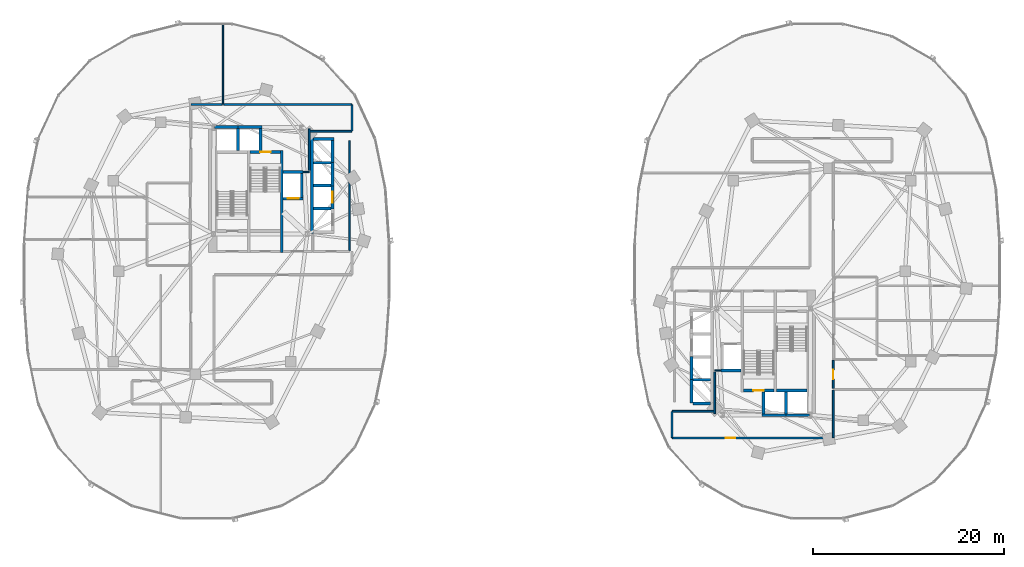
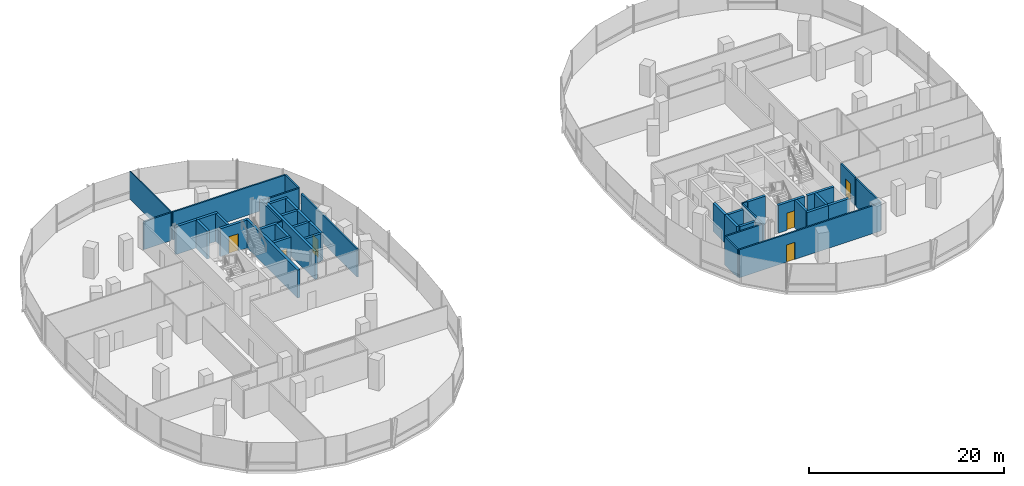
# One storey, part 12 of 21: 43 walls, 6 doors, 6 openings.
"""IFC4 building model written with IfcOpenShell, lengths in metres."""

import ifcopenshell
import ifcopenshell.guid

model = None  # the IFC model being written
_history = None  # IfcOwnerHistory: only IFC2X3 demands one
_inside = {}  # id of a spatial element -> (the spatial element, [elements in it])
_under = {}  # id of a project, library or spatial element -> (it, [spatial elements below it])
_declared = {}  # id of a project -> (the project, [libraries it declares])
_typed = {}  # id of a type object -> (the type object, [elements of that type])
_made_of = {}  # id of a material, layer set ... -> (it, [elements and type objects made of it])


def new_model(schema):
    """Start an empty IFC model of exactly this schema.

    Asked for "IFC4X3", IfcOpenShell would pick the latest addendum, in which some entities
    have other attributes; the version numbers below select the first issue.
    IFC2X3 requires an IfcOwnerHistory on every rooted entity: one is made here for all.
    """
    global model, _history
    if schema == "IFC4X3":
        model = ifcopenshell.file(schema_version=(4, 3, 0, 0))
    else:
        model = ifcopenshell.file(schema=schema)
    _inside.clear()
    _under.clear()
    _declared.clear()
    _typed.clear()
    _made_of.clear()
    _history = None
    if model.schema == "IFC2X3":
        org = make("IfcOrganization", Name="unknown")
        user = make(
            "IfcPersonAndOrganization",
            ThePerson=make("IfcPerson", FamilyName="unknown"),
            TheOrganization=org,
        )
        app = make(
            "IfcApplication",
            ApplicationDeveloper=org,
            Version="unknown",
            ApplicationFullName="unknown",
            ApplicationIdentifier="unknown",
        )
        _history = make(
            "IfcOwnerHistory",
            OwningUser=user,
            OwningApplication=app,
            ChangeAction="ADDED",
            CreationDate=0,
        )
    return model


def make(cls, **values):
    """One entity of the class cls with the attributes given. An attribute that is None is left unset."""
    return model.create_entity(
        cls, **{name: value for name, value in values.items() if value is not None}
    )


def rooted(cls, **values):
    """An entity with a GlobalId (a new one), such as an element, a storey or a relation."""
    return make(cls, GlobalId=ifcopenshell.guid.new(), OwnerHistory=_history, **values)


def si_unit(unit_type, name, prefix=None):
    """IfcSIUnit, for example si_unit("LENGTHUNIT", "METRE", prefix="MILLI")."""
    return make("IfcSIUnit", UnitType=unit_type, Prefix=prefix, Name=name)


def assignment(units):
    """IfcUnitAssignment: the units of a project."""
    return None if units is None else make("IfcUnitAssignment", Units=units)


def point(xyz):
    """IfcCartesianPoint."""
    return None if xyz is None else make("IfcCartesianPoint", Coordinates=xyz)


def direction(xyz):
    """IfcDirection."""
    return None if xyz is None else make("IfcDirection", DirectionRatios=xyz)


def frame(location, z_axis=None, x_axis=None):
    """IfcAxis2Placement3D, a coordinate frame: its origin and axes. An axis left out is left unset."""
    return make(
        "IfcAxis2Placement3D",
        Location=point(location),
        Axis=direction(z_axis),
        RefDirection=direction(x_axis),
    )


def frame_2d(location, x_axis=None):
    """IfcAxis2Placement2D, a coordinate frame in the plane: its origin and x axis."""
    return make(
        "IfcAxis2Placement2D", Location=point(location), RefDirection=direction(x_axis)
    )


def origin():
    """The frame at (0, 0, 0) with its axes left unset."""
    return frame((0.0, 0.0, 0.0))


def place(relative_to, where):
    """IfcLocalPlacement: puts the frame where relative to a parent placement (None: the world)."""
    return make(
        "IfcLocalPlacement", PlacementRelTo=relative_to, RelativePlacement=where
    )


def context(
    kind, dimensions, precision=None, world=None, true_north=None, identifier=None
):
    """IfcGeometricRepresentationContext, for example the 3D "Model" context."""
    return make(
        "IfcGeometricRepresentationContext",
        ContextIdentifier=identifier,
        ContextType=kind,
        CoordinateSpaceDimension=dimensions,
        Precision=precision,
        WorldCoordinateSystem=world,
        TrueNorth=true_north,
    )


def subcontext(parent, identifier, kind, view, scale=None):
    """IfcGeometricRepresentationSubContext, for example "Body" below "Model"."""
    return make(
        "IfcGeometricRepresentationSubContext",
        ContextIdentifier=identifier,
        ContextType=kind,
        ParentContext=parent,
        TargetScale=scale,
        TargetView=view,
    )


def project(units=None, contexts=None):
    """IfcProject with its units and contexts."""
    return rooted(
        "IfcProject",
        Name="project",
        RepresentationContexts=contexts,
        UnitsInContext=assignment(units),
    )


def spatial(cls, under=None, at=None, **own):
    """A site, building, storey or space (cls), placed at a placement, below another one or the project."""
    s = rooted(cls, ObjectPlacement=at, **own)
    if under is not None:
        _under.setdefault(under.id(), (under, []))[1].append(s)
    return s


def profile(cls, at=None, kind="AREA", **sizes):
    """A parametric profile (cls). Its sizes go by their IFC names, for example OverallWidth=200.0."""
    return make(cls, ProfileType=kind, Position=at, **sizes)


def rectangle(**sizes):
    """IfcRectangleProfileDef."""
    return profile("IfcRectangleProfileDef", **sizes)


def extrude(swept, where, along, depth):
    """IfcExtrudedAreaSolid: the profile swept, set in the frame where, extruded along a direction by depth."""
    return make(
        "IfcExtrudedAreaSolid",
        SweptArea=swept,
        Position=where,
        ExtrudedDirection=direction(along),
        Depth=depth,
    )


def shape(context_of_items, identifier, shape_type, items):
    """IfcShapeRepresentation: the items that make up one representation, for example the "Body"."""
    return make(
        "IfcShapeRepresentation",
        ContextOfItems=context_of_items,
        RepresentationIdentifier=identifier,
        RepresentationType=shape_type,
        Items=items,
    )


def material(Name=None, Category=None):
    """IfcMaterial."""
    return make("IfcMaterial", Name=Name, Category=Category)


def layer(
    of_material, thickness, ventilated=None, Name=None, Category=None, Priority=None
):
    """IfcMaterialLayer: one layer of a wall or slab, of a material (None: an air gap)."""
    return make(
        "IfcMaterialLayer",
        Material=of_material,
        LayerThickness=thickness,
        IsVentilated=ventilated,
        Name=Name,
        Category=Category,
        Priority=Priority,
    )


def layer_set(layers, Name=None):
    """IfcMaterialLayerSet."""
    return make("IfcMaterialLayerSet", MaterialLayers=layers, LayerSetName=Name)


def made_of(thing, what):
    """Note that an element or type object is made of a material, layer set ...; save() writes the relation."""
    if what is not None:
        _made_of.setdefault(what.id(), (what, []))[1].append(thing)
    return thing


def type_object(cls, material=None, **own):
    """A type object (cls), such as IfcWallType, which elements share."""
    return made_of(rooted(cls, **own), material)


def element(
    cls,
    number,
    at=None,
    inside=None,
    cuts=None,
    type_object=None,
    material=None,
    context=None,
    identifier="Body",
    shape_type=None,
    held_by="IfcProductDefinitionShape",
    body=None,
    shapes=None,
    **own,
):
    """One element of the class cls, such as IfcWall. Its Tag is "e" and its number.

    at: its placement. inside: the storey or other place that contains it. cuts: it is an
    opening in that element (IfcRelVoidsElement). A single representation is given by context,
    identifier, shape_type and body (its items); several are given by shapes. held_by: the class
    of the entity that holds the representations. save() writes the other relations.
    """
    e = rooted(cls, Tag="e%d" % number, ObjectPlacement=at, **own)
    if body is not None:
        shapes = [shape(context, identifier, shape_type, body)]
    if shapes is not None:
        e.Representation = make(held_by, Representations=shapes)
    if inside is not None:
        _inside.setdefault(inside.id(), (inside, []))[1].append(e)
    if cuts is not None:
        rooted(
            "IfcRelVoidsElement", RelatingBuildingElement=cuts, RelatedOpeningElement=e
        )
    if type_object is not None:
        _typed.setdefault(type_object.id(), (type_object, []))[1].append(e)
    return made_of(e, material)


def fill(opening, filler):
    """IfcRelFillsElement: the door or window that sits in an opening."""
    return rooted(
        "IfcRelFillsElement",
        RelatingOpeningElement=opening,
        RelatedBuildingElement=filler,
    )


def aggregate(whole, parts):
    """IfcRelAggregates: a whole, such as a stair, and the parts it consists of."""
    return rooted("IfcRelAggregates", RelatingObject=whole, RelatedObjects=parts)


def save(model, path):
    """Write the relations noted so far, then the file.

    IfcRelAggregates (storeys below a building ...), IfcRelContainedInSpatialStructure (elements
    in a storey), IfcRelDefinesByType, IfcRelAssociatesMaterial and IfcRelDeclares: one each for
    every whole, place, type object, material and project.
    """
    for whole, parts in _under.values():
        aggregate(whole, parts)
    for where, things in _inside.values():
        rooted(
            "IfcRelContainedInSpatialStructure",
            RelatedElements=things,
            RelatingStructure=where,
        )
    for kind, things in _typed.values():
        rooted("IfcRelDefinesByType", RelatedObjects=things, RelatingType=kind)
    for what, things in _made_of.values():
        rooted("IfcRelAssociatesMaterial", RelatedObjects=things, RelatingMaterial=what)
    for by, libraries in _declared.values():
        rooted("IfcRelDeclares", RelatingContext=by, RelatedDefinitions=libraries)
    model.write(path)


model = new_model("IFC4")

# Units and contexts
model_context = context("Model", 3, precision=1e-05, world=origin(), true_north=direction((0.0, 1.0)))
body_context = subcontext(model_context, "Body", "Model", "MODEL_VIEW")
ifc_project = project(units=[si_unit("LENGTHUNIT", "METRE"), si_unit("AREAUNIT", "SQUARE_METRE"), si_unit("VOLUMEUNIT", "CUBIC_METRE"), si_unit("PLANEANGLEUNIT", "RADIAN"), si_unit("MASSUNIT", "GRAM", prefix="KILO"), si_unit("THERMODYNAMICTEMPERATUREUNIT", "KELVIN"), si_unit("POWERUNIT", "WATT")], contexts=[model_context])

# Site, building, storey
site_placement = place(None, origin())
site = spatial("IfcSite", under=ifc_project, at=site_placement, CompositionType="ELEMENT")
building_placement = place(site_placement, origin())
building = spatial("IfcBuilding", under=site, at=building_placement, Name="Cundina Bronze Exchange", CompositionType="ELEMENT")
storey_placement = place(building_placement, frame((0.0, 0.0, 50.60009765625)))
storey = spatial("IfcBuildingStorey", under=building, at=storey_placement, Name="L12", CompositionType="ELEMENT", Elevation=50.60009765625)

# Walls
ifc_material_1 = material(Name="Gypsum Fireboard Partition EI120")
ifc_layer_1 = layer(ifc_material_1, 0.179931640625, Name="Gypsum Fireboard Partition EI120")
ifc_layer_set_1 = layer_set([ifc_layer_1], Name="Gypsum Fireboard Partition EI120")
wall_type_1 = type_object("IfcWallType", Name="WL-COR-180", PredefinedType="PARTITIONING", material=ifc_layer_set_1)
wall_1_placement = place(storey_placement, frame((-17.02001953125, 2.169921875, 0.0), z_axis=(0.0, 0.0, 1.0), x_axis=(0.0, 1.0, 0.0)))
element("IfcWall", 1, at=wall_1_placement, inside=storey, type_object=wall_type_1, Name="L12 Interior Partition 001", PredefinedType="PARTITIONING", context=body_context, shape_type="SweptSolid", body=[
    extrude(rectangle(XDim=11.510009765625, YDim=0.179931640625, at=frame_2d((5.7548828125, 0.0))), origin(), (0.0, 0.0, 1.0), 3.5),
])
wall_2_placement = place(storey_placement, frame((-21.25, 10.570068359375, 0.0), z_axis=(0.0, 0.0, 1.0), x_axis=(0.0, 1.0, 0.0)))
element("IfcWall", 2, at=wall_2_placement, inside=storey, type_object=wall_type_1, Name="L12 Interior Partition 004", PredefinedType="PARTITIONING", context=body_context, shape_type="SweptSolid", body=[
    extrude(rectangle(XDim=4.35986328125, YDim=0.179931640625, at=frame_2d((2.179931640625, 0.0))), origin(), (0.0, 0.0, 1.0), 3.5),
])
wall_3_placement = place(storey_placement, frame((-16.821533203125, 17.469970703125, 0.0), z_axis=(0.0, 0.0, 1.0), x_axis=(-1.0, 0.0, 0.0)))
element("IfcWall", 3, at=wall_3_placement, inside=storey, type_object=wall_type_1, Name="L12 Interior Partition 032", PredefinedType="PARTITIONING", context=body_context, shape_type="SweptSolid", body=[
    extrude(rectangle(XDim=13.368408203125, YDim=0.179931640625, at=frame_2d((6.68408203125, 0.0))), origin(), (0.0, 0.0, 1.0), 3.5),
])
wall_4_placement = place(storey_placement, frame((-21.178466796875, 14.679931640625, 0.0), z_axis=(0.0, 0.0, 1.0), x_axis=(1.0, 0.0, 0.0)))
element("IfcWall", 4, at=wall_4_placement, inside=storey, type_object=wall_type_1, Name="L12 Interior Partition 034", PredefinedType="PARTITIONING", context=body_context, shape_type="SweptSolid", body=[
    extrude(rectangle(XDim=4.35693359375, YDim=0.179931640625, at=frame_2d((2.178466796875, 0.0))), origin(), (0.0, 0.0, 1.0), 3.5),
])
wall_5_placement = place(storey_placement, frame((-16.780029296875, 14.721435546875, 0.0), z_axis=(0.0, 0.0, 1.0), x_axis=(0.0, 1.0, 0.0)))
element("IfcWall", 5, at=wall_5_placement, inside=storey, type_object=wall_type_1, Name="L12 Interior Partition 035", PredefinedType="PARTITIONING", context=body_context, shape_type="SweptSolid", body=[
    extrude(rectangle(XDim=2.70703125, YDim=0.179931640625, at=frame_2d((1.353515625, 0.0))), origin(), (0.0, 0.0, 1.0), 3.5),
])
wall_6_placement = place(storey_placement, frame((-30.3701171875, 17.469970703125, 0.0), z_axis=(0.0, 0.0, 1.0), x_axis=(-1.0, 0.0, 0.0)))
element("IfcWall", 6, at=wall_6_placement, inside=storey, type_object=wall_type_1, Name="L12 Interior Partition 038", PredefinedType="PARTITIONING", context=body_context, shape_type="SweptSolid", body=[
    extrude(rectangle(XDim=3.25830078125, YDim=0.179931640625, at=frame_2d((1.629150390625, 0.0))), origin(), (0.0, 0.0, 1.0), 3.5),
])
wall_7_placement = place(storey_placement, frame((21.25, -14.929931640625, 0.0), z_axis=(0.0, 0.0, 1.0), x_axis=(0.0, 1.0, 0.0)))
element("IfcWall", 7, at=wall_7_placement, inside=storey, type_object=wall_type_1, Name="L12 Interior Partition 043", PredefinedType="PARTITIONING", context=body_context, shape_type="SweptSolid", body=[
    extrude(rectangle(XDim=4.35986328125, YDim=0.179931640625, at=frame_2d((2.179931640625, 0.0))), origin(), (0.0, 0.0, 1.0), 3.5),
])

# Wall, opening, door
wall_8_placement = place(storey_placement, frame((33.669921875, -12.2900390625, 0.0), z_axis=(0.0, 0.0, 1.0), x_axis=(0.0, 1.0, 0.0)))
wall_8 = element("IfcWall", 8, at=wall_8_placement, inside=storey, type_object=wall_type_1, Name="L12 Interior Partition 057", PredefinedType="PARTITIONING", context=body_context, shape_type="SweptSolid", body=[
    extrude(rectangle(XDim=2.938720703125, YDim=0.179931640625, at=frame_2d((1.46923828125, 0.0))), origin(), (0.0, 0.0, 1.0), 3.5),
])
opening_1_placement = place(wall_8_placement, frame((0.96923828125, 0.0, 0.0)))
opening_1 = element("IfcOpeningElement", 9, at=opening_1_placement, cuts=wall_8, Name="Opening DO-01", PredefinedType="OPENING", context=body_context, shape_type="SweptSolid", body=[
    extrude(rectangle(XDim=1.0, YDim=2.14990234375, at=frame_2d((0.5, 1.074951171875))), frame((0.0, 0.099853515625, 0.0), z_axis=(0.0, -1.0, 0.0), x_axis=(1.0, 0.0, 0.0)), (0.0, 0.0, 1.0), 0.199951171875),
])
ifc_material_2 = material(Name="Solid Andean Oak Timber Grade A", Category="wood")
door_type_1 = type_object("IfcDoorType", Name="DR-OFF-1000", OperationType="NOTDEFINED", PredefinedType="DOOR", material=ifc_material_2)
door_1_placement = place(opening_1_placement, origin())
door_1 = element("IfcDoor", 10, at=door_1_placement, inside=storey, type_object=door_type_1, Name="L12 Interior Door 057", OperationType="SINGLE_SWING_RIGHT", OverallHeight=2.14990234375, OverallWidth=1.0, PredefinedType="DOOR", context=body_context, shape_type="SweptSolid", body=[
    extrude(rectangle(XDim=1.0, YDim=2.14990234375, at=frame_2d((0.5, 1.074951171875))), frame((0.0, 0.02490234375, 0.0), z_axis=(0.0, -1.0, 0.0), x_axis=(1.0, 0.0, 0.0)), (0.0, 0.0, 1.0), 0.050048828125),
])
fill(opening_1, door_1)

wall_9_placement = place(storey_placement, frame((16.821533203125, -17.469970703125, 0.0), z_axis=(0.0, 0.0, 1.0), x_axis=(1.0, 0.0, 0.0)))
wall_9 = element("IfcWall", 11, at=wall_9_placement, inside=storey, type_object=wall_type_1, Name="L12 Interior Partition 058", PredefinedType="PARTITIONING", context=body_context, shape_type="SweptSolid", body=[
    extrude(rectangle(XDim=16.806884765625, YDim=0.179931640625, at=frame_2d((8.4033203125, 0.0))), origin(), (0.0, 0.0, 1.0), 3.5),
])
opening_2_placement = place(wall_9_placement, frame((5.568603515625, 0.0, 0.0)))
opening_2 = element("IfcOpeningElement", 12, at=opening_2_placement, cuts=wall_9, Name="Opening DO-01", PredefinedType="OPENING", context=body_context, shape_type="SweptSolid", body=[
    extrude(rectangle(XDim=1.0, YDim=2.14990234375, at=frame_2d((0.5, 1.074951171875))), frame((0.0, 0.099853515625, 0.0), z_axis=(0.0, -1.0, 0.0), x_axis=(1.0, 0.0, 0.0)), (0.0, 0.0, 1.0), 0.199951171875),
])
door_2_placement = place(opening_2_placement, origin())
door_2 = element("IfcDoor", 13, at=door_2_placement, inside=storey, type_object=door_type_1, Name="L12 Interior Door 058", OperationType="SINGLE_SWING_RIGHT", OverallHeight=2.14990234375, OverallWidth=1.0, PredefinedType="DOOR", context=body_context, shape_type="SweptSolid", body=[
    extrude(rectangle(XDim=1.0, YDim=2.14990234375, at=frame_2d((0.5, 1.074951171875))), frame((0.0, 0.02490234375, 0.0), z_axis=(0.0, -1.0, 0.0), x_axis=(1.0, 0.0, 0.0)), (0.0, 0.0, 1.0), 0.050048828125),
])
fill(opening_2, door_2)

# Walls
wall_10_placement = place(storey_placement, frame((33.669921875, -17.428466796875, 0.0), z_axis=(0.0, 0.0, 1.0), x_axis=(0.0, 1.0, 0.0)))
element("IfcWall", 14, at=wall_10_placement, inside=storey, type_object=wall_type_1, Name="L12 Interior Partition 061", PredefinedType="PARTITIONING", context=body_context, shape_type="SweptSolid", body=[
    extrude(rectangle(XDim=4.95849609375, YDim=0.179931640625, at=frame_2d((2.479248046875, 0.0))), origin(), (0.0, 0.0, 1.0), 3.5),
])
wall_11_placement = place(storey_placement, frame((21.178466796875, -14.679931640625, 0.0), z_axis=(0.0, 0.0, 1.0), x_axis=(-1.0, 0.0, 0.0)))
element("IfcWall", 15, at=wall_11_placement, inside=storey, type_object=wall_type_1, Name="L12 Interior Partition 062", PredefinedType="PARTITIONING", context=body_context, shape_type="SweptSolid", body=[
    extrude(rectangle(XDim=4.35693359375, YDim=0.179931640625, at=frame_2d((2.178466796875, 0.0))), origin(), (0.0, 0.0, 1.0), 3.5),
])
wall_12_placement = place(storey_placement, frame((16.780029296875, -14.721435546875, 0.0), z_axis=(0.0, 0.0, 1.0), x_axis=(0.0, -1.0, 0.0)))
element("IfcWall", 16, at=wall_12_placement, inside=storey, type_object=wall_type_1, Name="L12 Interior Partition 063", PredefinedType="PARTITIONING", context=body_context, shape_type="SweptSolid", body=[
    extrude(rectangle(XDim=2.70703125, YDim=0.179931640625, at=frame_2d((1.353515625, 0.0))), origin(), (0.0, 0.0, 1.0), 3.5),
])
ifc_material_3 = material(Name="Gypsum Acoustic Partition EI60")
ifc_layer_2 = layer(ifc_material_3, 0.125, Name="Gypsum Acoustic Partition EI60")
ifc_layer_set_2 = layer_set([ifc_layer_2], Name="Gypsum Acoustic Partition EI60")
wall_type_2 = type_object("IfcWallType", Name="WL-OFF-125", PredefinedType="PARTITIONING", material=ifc_layer_set_2)
wall_13_placement = place(storey_placement, frame((-30.280029296875, 17.5, 0.0), z_axis=(0.0, 0.0, 1.0), x_axis=(0.0, 1.0, 0.0)))
element("IfcWall", 17, at=wall_13_placement, inside=storey, type_object=wall_type_2, Name="L12 Interior Partition 022", PredefinedType="PARTITIONING", context=body_context, shape_type="SweptSolid", body=[
    extrude(rectangle(XDim=8.485107421875, YDim=0.125, at=frame_2d((4.24267578125, 0.0))), origin(), (0.0, 0.0, 1.0), 3.5),
])
ifc_material_4 = material(Name="Concrete C50/60", Category="concrete")
ifc_layer_3 = layer(ifc_material_4, 0.300048828125, Name="Concrete C50/60", Category="concrete")
ifc_layer_set_3 = layer_set([ifc_layer_3], Name="Concrete C50/60")
wall_type_3 = type_object("IfcWallType", Name="WL-SHFT-300", PredefinedType="SHEAR", material=ifc_layer_set_3)
wall_14_placement = place(storey_placement, frame((-24.1298828125, 1.969970703125, 0.0), z_axis=(0.0, 0.0, 1.0), x_axis=(0.0, 1.0, 0.0)))
element("IfcWall", 18, at=wall_14_placement, inside=storey, type_object=wall_type_3, Name="L12 W Stair 2 East Shear Wall", PredefinedType="SHEAR", context=body_context, shape_type="SweptSolid", body=[
    extrude(rectangle(XDim=10.679931640625, YDim=0.300048828125, at=frame_2d((5.33984375, 0.0))), origin(), (0.0, 0.0, 1.0), 3.5),
])

# Wall, opening, door
wall_15_placement = place(storey_placement, frame((-27.43994140625, 12.5, 0.0), z_axis=(0.0, 0.0, 1.0), x_axis=(1.0, 0.0, 0.0)))
wall_15 = element("IfcWall", 19, at=wall_15_placement, inside=storey, type_object=wall_type_3, Name="L12 Stair W2 Landing Wall", PredefinedType="SHEAR", context=body_context, shape_type="SweptSolid", body=[
    extrude(rectangle(XDim=3.159912109375, YDim=0.300048828125, at=frame_2d((1.580078125, 0.0))), origin(), (0.0, 0.0, 1.0), 3.5),
])
opening_3_placement = place(wall_15_placement, frame((1.030029296875, 0.0, 0.0)))
opening_3 = element("IfcOpeningElement", 20, at=opening_3_placement, cuts=wall_15, Name="Opening DS-01", PredefinedType="OPENING", context=body_context, shape_type="SweptSolid", body=[
    extrude(rectangle(XDim=1.10009765625, YDim=2.14990234375, at=frame_2d((0.550048828125, 1.074951171875))), frame((0.0, 0.159912109375, 0.0), z_axis=(0.0, -1.0, 0.0), x_axis=(1.0, 0.0, 0.0)), (0.0, 0.0, 1.0), 0.320068359375),
])
ifc_material_5 = material(Name="Steel ASTM A36 Painted", Category="steel")
door_type_2 = type_object("IfcDoorType", Name="DR-STR-1100", OperationType="NOTDEFINED", PredefinedType="DOOR", material=ifc_material_5)
door_3_placement = place(opening_3_placement, origin())
door_3 = element("IfcDoor", 21, at=door_3_placement, inside=storey, type_object=door_type_2, Name="L12 Smokeproof Stair W2 Door", OperationType="SINGLE_SWING_LEFT", OverallHeight=2.14990234375, OverallWidth=1.10009765625, PredefinedType="DOOR", context=body_context, shape_type="SweptSolid", body=[
    extrude(rectangle(XDim=1.10009765625, YDim=2.14990234375, at=frame_2d((0.550048828125, 1.074951171875))), frame((0.0, 0.02490234375, 0.0), z_axis=(0.0, -1.0, 0.0), x_axis=(1.0, 0.0, 0.0)), (0.0, 0.0, 1.0), 0.050048828125),
])
fill(opening_3, door_3)

wall_16_placement = place(storey_placement, frame((-23.97998046875, 7.60009765625, 0.0), z_axis=(0.0, 0.0, 1.0), x_axis=(1.0, 0.0, 0.0)))
wall_16 = element("IfcWall", 22, at=wall_16_placement, inside=storey, type_object=wall_type_3, Name="L12 FFL-W Hoistway Front Wall", PredefinedType="SHEAR", context=body_context, shape_type="SweptSolid", body=[
    extrude(rectangle(XDim=2.10009765625, YDim=0.300048828125, at=frame_2d((1.050048828125, 0.0))), origin(), (0.0, 0.0, 1.0), 3.5),
])
opening_4_placement = place(wall_16_placement, frame((0.47509765625, 0.0, 0.0)))
opening_4 = element("IfcOpeningElement", 23, at=opening_4_placement, cuts=wall_16, Name="Opening LD-01", PredefinedType="OPENING", context=body_context, shape_type="SweptSolid", body=[
    extrude(rectangle(XDim=1.14990234375, YDim=2.199951171875, at=frame_2d((0.574951171875, 1.10009765625))), frame((0.0, 0.159912109375, 0.0), z_axis=(0.0, -1.0, 0.0), x_axis=(1.0, 0.0, 0.0)), (0.0, 0.0, 1.0), 0.320068359375),
])
door_type_3 = type_object("IfcDoorType", Name="DR-LND-1150", OperationType="NOTDEFINED", PredefinedType="TRAPDOOR", material=ifc_material_5)
door_4_placement = place(opening_4_placement, origin())
door_4 = element("IfcDoor", 24, at=door_4_placement, inside=storey, type_object=door_type_3, Name="L12 FFL-W Sliding Landing Door", OperationType="SLIDING_TO_LEFT", OverallHeight=2.199951171875, OverallWidth=1.14990234375, PredefinedType="TRAPDOOR", context=body_context, shape_type="SweptSolid", body=[
    extrude(rectangle(XDim=1.14990234375, YDim=2.199951171875, at=frame_2d((0.574951171875, 1.10009765625))), frame((0.0, 0.02490234375, 0.0), z_axis=(0.0, -1.0, 0.0), x_axis=(1.0, 0.0, 0.0)), (0.0, 0.0, 1.0), 0.050048828125),
])
fill(opening_4, door_4)

# Walls
wall_17_placement = place(storey_placement, frame((-23.97998046875, 10.39990234375, 0.0), z_axis=(0.0, 0.0, 1.0), x_axis=(1.0, 0.0, 0.0)))
element("IfcWall", 25, at=wall_17_placement, inside=storey, type_object=wall_type_3, Name="L12 FFL-W Hoistway Back Wall", PredefinedType="SHEAR", context=body_context, shape_type="SweptSolid", body=[
    extrude(rectangle(XDim=2.10009765625, YDim=0.300048828125, at=frame_2d((1.050048828125, 0.0))), origin(), (0.0, 0.0, 1.0), 3.5),
])
for number, where, z_axis, x_axis, name in (
    (26, (-22.030029296875, 7.75, 0.0), (0.0, 0.0, 1.0), (0.0, 1.0, 0.0), "L12 FFL-W Hoistway Side Wall"),
    (27, (-31.199951171875, 15.10009765625, 0.0), (0.0, 0.0, 1.0), (1.0, 0.0, 0.0), "L12 PH-W1 Hoistway Front Wall"),
):
    element("IfcWall", number, at=place(storey_placement, frame(where, z_axis=z_axis, x_axis=x_axis)), inside=storey, type_object=wall_type_3, Name=name, PredefinedType="SHEAR", context=body_context, shape_type="SweptSolid", body=[
        extrude(rectangle(XDim=2.5, YDim=0.300048828125, at=frame_2d((1.25, 0.0))), origin(), (0.0, 0.0, 1.0), 3.5),
    ])
wall_18_placement = place(storey_placement, frame((-28.699951171875, 12.64990234375, 0.0), z_axis=(0.0, 0.0, 1.0), x_axis=(0.0, 1.0, 0.0)))
element("IfcWall", 28, at=wall_18_placement, inside=storey, type_object=wall_type_3, Name="L12 PH-W1 Hoistway Divider Wall", PredefinedType="SHEAR", context=body_context, shape_type="SweptSolid", body=[
    extrude(rectangle(XDim=2.300048828125, YDim=0.300048828125, at=frame_2d((1.14990234375, 0.0))), origin(), (0.0, 0.0, 1.0), 3.5),
])
wall_19_placement = place(storey_placement, frame((-28.699951171875, 15.10009765625, 0.0), z_axis=(0.0, 0.0, 1.0), x_axis=(1.0, 0.0, 0.0)))
element("IfcWall", 29, at=wall_19_placement, inside=storey, type_object=wall_type_3, Name="L12 PH-W2 Hoistway Front Wall", PredefinedType="SHEAR", context=body_context, shape_type="SweptSolid", body=[
    extrude(rectangle(XDim=2.5, YDim=0.300048828125, at=frame_2d((1.25, 0.0))), origin(), (0.0, 0.0, 1.0), 3.5),
])
wall_20_placement = place(storey_placement, frame((-26.35009765625, 12.64990234375, 0.0), z_axis=(0.0, 0.0, 1.0), x_axis=(0.0, 1.0, 0.0)))
element("IfcWall", 30, at=wall_20_placement, inside=storey, type_object=wall_type_3, Name="L12 PH-W2 Hoistway Divider Wall", PredefinedType="SHEAR", context=body_context, shape_type="SweptSolid", body=[
    extrude(rectangle(XDim=2.300048828125, YDim=0.300048828125, at=frame_2d((1.14990234375, 0.0))), origin(), (0.0, 0.0, 1.0), 3.5),
])
wall_21_placement = place(storey_placement, frame((-20.949951171875, 3.949951171875, 0.0), z_axis=(0.0, 0.0, 1.0), x_axis=(0.0, 1.0, 0.0)))
element("IfcWall", 31, at=wall_21_placement, inside=storey, type_object=wall_type_3, Name="L12 W Passenger Bank Hoistway Back Wall", PredefinedType="SHEAR", context=body_context, shape_type="SweptSolid", body=[
    extrude(rectangle(XDim=10.050048828125, YDim=0.300048828125, at=frame_2d((5.02490234375, 0.0))), origin(), (0.0, 0.0, 1.0), 3.5),
])
wall_22_placement = place(storey_placement, frame((-20.800048828125, 13.85009765625, 0.0), z_axis=(0.0, 0.0, 1.0), x_axis=(1.0, 0.0, 0.0)))
element("IfcWall", 32, at=wall_22_placement, inside=storey, type_object=wall_type_3, Name="L12 W Passenger Bank North Cap Wall", PredefinedType="SHEAR", context=body_context, shape_type="SweptSolid", body=[
    extrude(rectangle(XDim=2.150146484375, YDim=0.300048828125, at=frame_2d((1.0751953125, 0.0))), origin(), (0.0, 0.0, 1.0), 3.5),
])
for number, where, z_axis, x_axis, name in (
    (33, (-20.800048828125, 6.574951171875, 0.0), (0.0, 0.0, 1.0), (1.0, 0.0, 0.0), "L12 W Passenger Hoistway Divider 1"),
    (34, (-20.800048828125, 8.97509765625, 0.0), (0.0, 0.0, 1.0), (1.0, 0.0, 0.0), "L12 W Passenger Hoistway Divider 2"),
    (35, (-20.800048828125, 11.375, 0.0), (0.0, 0.0, 1.0), (1.0, 0.0, 0.0), "L12 W Passenger Hoistway Divider 3"),
):
    element("IfcWall", number, at=place(storey_placement, frame(where, z_axis=z_axis, x_axis=x_axis)), inside=storey, type_object=wall_type_3, Name=name, PredefinedType="SHEAR", context=body_context, shape_type="SweptSolid", body=[
        extrude(rectangle(XDim=1.85009765625, YDim=0.300048828125, at=frame_2d((0.925048828125, 0.0))), origin(), (0.0, 0.0, 1.0), 3.5),
    ])

# Wall, opening, door
wall_23_placement = place(storey_placement, frame((-18.800048828125, 6.530029296875, 0.0), z_axis=(0.0, 0.0, 1.0), x_axis=(0.0, 1.0, 0.0)))
wall_23 = element("IfcWall", 36, at=wall_23_placement, inside=storey, type_object=wall_type_3, Name="L12 PL-W1 Hoistway Front Wall", PredefinedType="SHEAR", context=body_context, shape_type="SweptSolid", body=[
    extrude(rectangle(XDim=2.489990234375, YDim=0.300048828125, at=frame_2d((1.2451171875, 0.0))), origin(), (0.0, 0.0, 1.0), 3.5),
])
opening_5_placement = place(wall_23_placement, frame((0.669921875, 0.0, 0.0)))
opening_5 = element("IfcOpeningElement", 37, at=opening_5_placement, cuts=wall_23, Name="Opening LD-01", PredefinedType="OPENING", context=body_context, shape_type="SweptSolid", body=[
    extrude(rectangle(XDim=1.14990234375, YDim=2.199951171875, at=frame_2d((0.574951171875, 1.10009765625))), frame((0.0, 0.159912109375, 0.0), z_axis=(0.0, -1.0, 0.0), x_axis=(1.0, 0.0, 0.0)), (0.0, 0.0, 1.0), 0.320068359375),
])
door_5_placement = place(opening_5_placement, origin())
door_5 = element("IfcDoor", 38, at=door_5_placement, inside=storey, type_object=door_type_3, Name="L12 PL-W1 Sliding Landing Door", OperationType="SLIDING_TO_LEFT", OverallHeight=2.199951171875, OverallWidth=1.14990234375, PredefinedType="TRAPDOOR", context=body_context, shape_type="SweptSolid", body=[
    extrude(rectangle(XDim=1.14990234375, YDim=2.199951171875, at=frame_2d((0.574951171875, 1.10009765625))), frame((0.0, 0.02490234375, 0.0), z_axis=(0.0, -1.0, 0.0), x_axis=(1.0, 0.0, 0.0)), (0.0, 0.0, 1.0), 0.050048828125),
])
fill(opening_5, door_5)

# Walls
for number, where, z_axis, x_axis, name in (
    (39, (-18.800048828125, 8.929931640625, 0.0), (0.0, 0.0, 1.0), (0.0, 1.0, 0.0), "L12 PM-W2 Hoistway Front Wall"),
    (40, (-18.800048828125, 11.330078125, 0.0), (0.0, 0.0, 1.0), (0.0, 1.0, 0.0), "L12 PM-W1 Hoistway Front Wall"),
):
    element("IfcWall", number, at=place(storey_placement, frame(where, z_axis=z_axis, x_axis=x_axis)), inside=storey, type_object=wall_type_3, Name=name, PredefinedType="SHEAR", context=body_context, shape_type="SweptSolid", body=[
        extrude(rectangle(XDim=2.489990234375, YDim=0.300048828125, at=frame_2d((1.2451171875, 0.0))), origin(), (0.0, 0.0, 1.0), 3.5),
    ])
wall_24_placement = place(storey_placement, frame((27.739990234375, -12.5, 0.0), z_axis=(0.0, 0.0, 1.0), x_axis=(1.0, 0.0, 0.0)))
element("IfcWall", 41, at=wall_24_placement, inside=storey, type_object=wall_type_3, Name="L12 Stair E1 Far Shaft Wall", PredefinedType="SHEAR", context=body_context, shape_type="SweptSolid", body=[
    extrude(rectangle(XDim=3.159912109375, YDim=0.300048828125, at=frame_2d((1.580078125, 0.0))), origin(), (0.0, 0.0, 1.0), 3.5),
])

# Wall, opening, door
wall_25_placement = place(storey_placement, frame((24.280029296875, -12.5, 0.0), z_axis=(0.0, 0.0, 1.0), x_axis=(1.0, 0.0, 0.0)))
wall_25 = element("IfcWall", 42, at=wall_25_placement, inside=storey, type_object=wall_type_3, Name="L12 Stair E2 Landing Wall", PredefinedType="SHEAR", context=body_context, shape_type="SweptSolid", body=[
    extrude(rectangle(XDim=3.159912109375, YDim=0.300048828125, at=frame_2d((1.580078125, 0.0))), origin(), (0.0, 0.0, 1.0), 3.5),
])
opening_6_placement = place(wall_25_placement, frame((1.030029296875, 0.0, 0.0)))
opening_6 = element("IfcOpeningElement", 43, at=opening_6_placement, cuts=wall_25, Name="Opening DS-01", PredefinedType="OPENING", context=body_context, shape_type="SweptSolid", body=[
    extrude(rectangle(XDim=1.10009765625, YDim=2.14990234375, at=frame_2d((0.550048828125, 1.074951171875))), frame((0.0, 0.159912109375, 0.0), z_axis=(0.0, -1.0, 0.0), x_axis=(1.0, 0.0, 0.0)), (0.0, 0.0, 1.0), 0.320068359375),
])
door_6_placement = place(opening_6_placement, origin())
door_6 = element("IfcDoor", 44, at=door_6_placement, inside=storey, type_object=door_type_2, Name="L12 Smokeproof Stair E2 Door", OperationType="SINGLE_SWING_RIGHT", OverallHeight=2.14990234375, OverallWidth=1.10009765625, PredefinedType="DOOR", context=body_context, shape_type="SweptSolid", body=[
    extrude(rectangle(XDim=1.10009765625, YDim=2.14990234375, at=frame_2d((0.550048828125, 1.074951171875))), frame((0.0, 0.02490234375, 0.0), z_axis=(0.0, -1.0, 0.0), x_axis=(1.0, 0.0, 0.0)), (0.0, 0.0, 1.0), 0.050048828125),
])
fill(opening_6, door_6)

# Walls
wall_26_placement = place(storey_placement, frame((21.8798828125, -10.39990234375, 0.0), z_axis=(0.0, 0.0, 1.0), x_axis=(1.0, 0.0, 0.0)))
element("IfcWall", 45, at=wall_26_placement, inside=storey, type_object=wall_type_3, Name="L12 FFL-E Hoistway Back Wall", PredefinedType="SHEAR", context=body_context, shape_type="SweptSolid", body=[
    extrude(rectangle(XDim=2.10009765625, YDim=0.300048828125, at=frame_2d((1.050048828125, 0.0))), origin(), (0.0, 0.0, 1.0), 3.5),
])
wall_27_placement = place(storey_placement, frame((28.699951171875, -15.10009765625, 0.0), z_axis=(0.0, 0.0, 1.0), x_axis=(1.0, 0.0, 0.0)))
element("IfcWall", 46, at=wall_27_placement, inside=storey, type_object=wall_type_3, Name="L12 PH-E1 Hoistway Front Wall", PredefinedType="SHEAR", context=body_context, shape_type="SweptSolid", body=[
    extrude(rectangle(XDim=2.5, YDim=0.300048828125, at=frame_2d((1.25, 0.0))), origin(), (0.0, 0.0, 1.0), 3.5),
])
wall_28_placement = place(storey_placement, frame((28.699951171875, -14.949951171875, 0.0), z_axis=(0.0, 0.0, 1.0), x_axis=(0.0, 1.0, 0.0)))
element("IfcWall", 47, at=wall_28_placement, inside=storey, type_object=wall_type_3, Name="L12 PH-E1 Hoistway Divider Wall", PredefinedType="SHEAR", context=body_context, shape_type="SweptSolid", body=[
    extrude(rectangle(XDim=2.300048828125, YDim=0.300048828125, at=frame_2d((1.14990234375, 0.0))), origin(), (0.0, 0.0, 1.0), 3.5),
])
wall_29_placement = place(storey_placement, frame((26.199951171875, -15.10009765625, 0.0), z_axis=(0.0, 0.0, 1.0), x_axis=(1.0, 0.0, 0.0)))
element("IfcWall", 48, at=wall_29_placement, inside=storey, type_object=wall_type_3, Name="L12 PH-E2 Hoistway Front Wall", PredefinedType="SHEAR", context=body_context, shape_type="SweptSolid", body=[
    extrude(rectangle(XDim=2.5, YDim=0.300048828125, at=frame_2d((1.25, 0.0))), origin(), (0.0, 0.0, 1.0), 3.5),
])
wall_30_placement = place(storey_placement, frame((26.35009765625, -14.949951171875, 0.0), z_axis=(0.0, 0.0, 1.0), x_axis=(0.0, 1.0, 0.0)))
element("IfcWall", 49, at=wall_30_placement, inside=storey, type_object=wall_type_3, Name="L12 PH-E2 Hoistway Divider Wall", PredefinedType="SHEAR", context=body_context, shape_type="SweptSolid", body=[
    extrude(rectangle(XDim=2.300048828125, YDim=0.300048828125, at=frame_2d((1.14990234375, 0.0))), origin(), (0.0, 0.0, 1.0), 3.5),
])
for number, where, z_axis, x_axis, name in (
    (50, (18.949951171875, -13.85009765625, 0.0), (0.0, 0.0, 1.0), (1.0, 0.0, 0.0), "L12 E Passenger Bank South Cap Wall"),
    (51, (18.949951171875, -11.375, 0.0), (0.0, 0.0, 1.0), (1.0, 0.0, 0.0), "L12 E Passenger Hoistway Divider 1"),
):
    element("IfcWall", number, at=place(storey_placement, frame(where, z_axis=z_axis, x_axis=x_axis)), inside=storey, type_object=wall_type_3, Name=name, PredefinedType="SHEAR", context=body_context, shape_type="SweptSolid", body=[
        extrude(rectangle(XDim=1.85009765625, YDim=0.300048828125, at=frame_2d((0.925048828125, 0.0))), origin(), (0.0, 0.0, 1.0), 3.5),
    ])
for number, where, z_axis, x_axis, name in (
    (52, (18.800048828125, -13.820068359375, 0.0), (0.0, 0.0, 1.0), (0.0, 1.0, 0.0), "L12 PM-E1 Hoistway Front Wall"),
    (53, (18.800048828125, -11.419921875, 0.0), (0.0, 0.0, 1.0), (0.0, 1.0, 0.0), "L12 PM-E2 Hoistway Front Wall"),
):
    element("IfcWall", number, at=place(storey_placement, frame(where, z_axis=z_axis, x_axis=x_axis)), inside=storey, type_object=wall_type_3, Name=name, PredefinedType="SHEAR", context=body_context, shape_type="SweptSolid", body=[
        extrude(rectangle(XDim=2.489990234375, YDim=0.300048828125, at=frame_2d((1.2451171875, 0.0))), origin(), (0.0, 0.0, 1.0), 3.5),
    ])
ifc_material_6 = material(Name="Moisture-Resistant Masonry Block Grade M15", Category="masonry")
ifc_layer_4 = layer(ifc_material_6, 0.139892578125, Name="Moisture-Resistant Masonry Block Grade M15", Category="masonry")
ifc_layer_set_4 = layer_set([ifc_layer_4], Name="Moisture-Resistant Masonry Block Grade M15")
wall_type_4 = type_object("IfcWallType", Name="WL-WET-140", PredefinedType="PARTITIONING", material=ifc_layer_set_4)
for number, where, z_axis, x_axis, name in (
    (54, (-21.860107421875, 10.39990234375, 0.0), (0.0, 0.0, 1.0), (1.0, 0.0, 0.0), "L12 Interior Partition 003"),
    (55, (21.27001953125, -10.39990234375, 0.0), (0.0, 0.0, 1.0), (1.0, 0.0, 0.0), "L12 Interior Partition 042"),
):
    element("IfcWall", number, at=place(storey_placement, frame(where, z_axis=z_axis, x_axis=x_axis)), inside=storey, type_object=wall_type_4, Name=name, PredefinedType="PARTITIONING", context=body_context, shape_type="SweptSolid", body=[
        extrude(rectangle(XDim=0.590087890625, YDim=0.139892578125, at=frame_2d((0.294921875, 0.0))), origin(), (0.0, 0.0, 1.0), 3.5),
    ])

save(model, "model.ifc")
